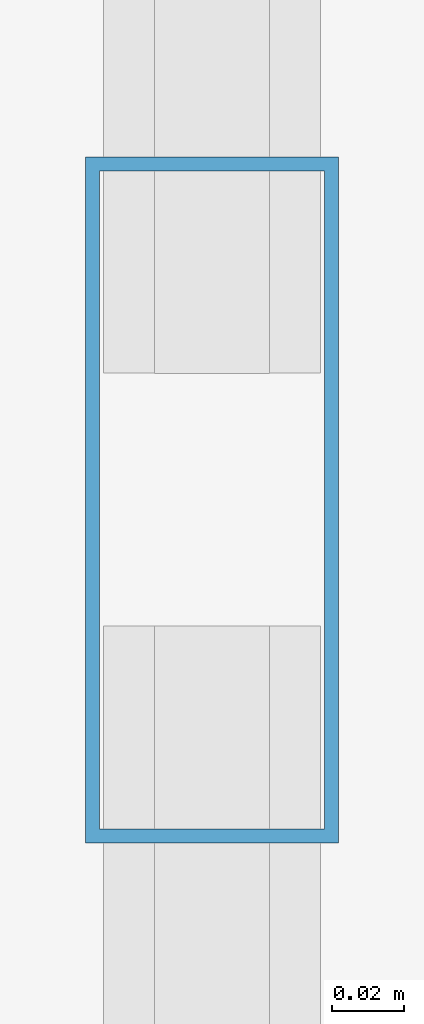
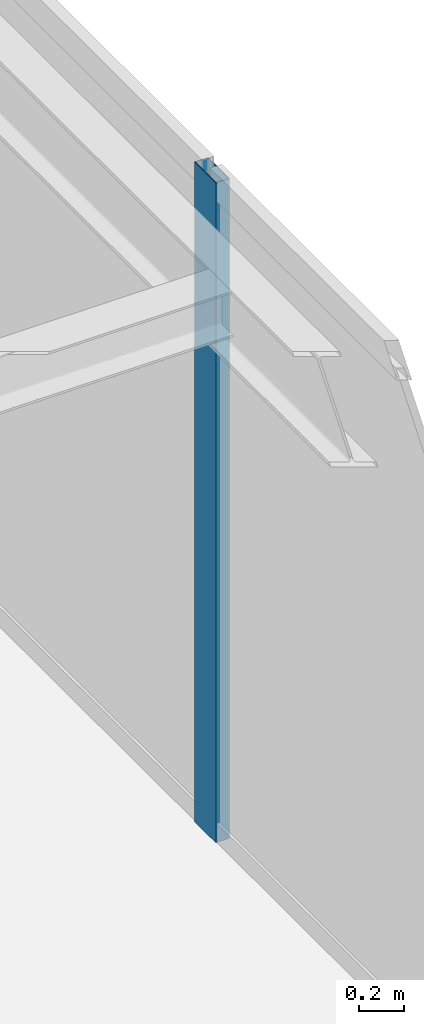
# One storey, part 20 of 37: 1 member, 1 element without a shape of its own.
"""IFC4 building model written with IfcOpenShell, lengths in metres."""

from ifc_helpers import new_model, si_unit, direction, frame, origin, origin_2d, place, context, subcontext, project, spatial, hollow_rectangle, extrude, source, transform, mapped, material, layer, layer_set, material_profile, profile_set, type_object, type_shapes, element, aggregate, save


model = new_model("IFC4")

# Units and contexts
model_context = context("Model", 3, precision=1e-05, world=origin(), true_north=direction((0.0, 1.0)))
body_context = subcontext(model_context, "Body", "Model", "MODEL_VIEW")
ifc_project = project(units=[si_unit("LENGTHUNIT", "METRE"), si_unit("AREAUNIT", "SQUARE_METRE"), si_unit("VOLUMEUNIT", "CUBIC_METRE"), si_unit("PLANEANGLEUNIT", "RADIAN"), si_unit("MASSUNIT", "GRAM", prefix="KILO")], contexts=[model_context])

# Site, building, storey
site_placement = place(None, origin())
site = spatial("IfcSite", under=ifc_project, at=site_placement, CompositionType="ELEMENT")
building_placement = place(site_placement, origin())
building = spatial("IfcBuilding", under=site, at=building_placement, Name="Varnel Quay Broadcast Tower", CompositionType="ELEMENT")
storey_placement = place(building_placement, frame((0.0, 0.0, 125.800048828125)))
storey = spatial("IfcBuildingStorey", under=building, at=storey_placement, Name="L30", CompositionType="ELEMENT", Elevation=125.800048828125)

# Curtain wall, member
ifc_material = material(Name="Anodised Bronze Aluminium 6063-T6", Category="aluminium")
ifc_layer = layer(ifc_material, 0.18994140625, Name="Anodised Bronze Aluminium 6063-T6")
ifc_layer_set = layer_set([ifc_layer], Name="Anodised Bronze Aluminium 6063-T6")
curtain_wall_type = type_object("IfcCurtainWallType", Name="CW_LowerTower", PredefinedType="NOTDEFINED", material=ifc_layer_set)
curtain_wall_placement = place(storey_placement, origin())
curtain_wall = element("IfcCurtainWall", 1, at=curtain_wall_placement, inside=storey, type_object=curtain_wall_type, Name="L30 East Unitised Curtain Wall", PredefinedType="NOTDEFINED")
ifc_material_profile = material_profile(ifc_material, hollow_rectangle(XDim=0.070068359375, YDim=0.18994140625, WallThickness=0.00390625, at=origin_2d()), Name="ALU70X190X4")
ifc_profile_set = profile_set([ifc_material_profile], Name="Anodised Bronze Aluminium 6063-T6")
member_type = type_object("IfcMemberType", Name="Mull_CWS-02", PredefinedType="MULLION", material=ifc_profile_set)
shared_shape = source(origin(), body_context, "Body", "SweptSolid", [
    extrude(hollow_rectangle(XDim=0.070068359375, YDim=0.18994140625, WallThickness=0.00390625, at=origin_2d()), origin(), (0.0, 0.0, 1.0), 3.550048828125),
])
type_shapes(member_type, [shared_shape])
member_placement = place(storey_placement, frame((63.35009765625, 31.39990234375, 0.0), z_axis=(0.0, 0.0, 1.0), x_axis=(-1.0, 0.0, 0.0)))
member = element("IfcMember", 2, at=member_placement, type_object=member_type, Name="CWS-02 mullion 3", PredefinedType="MULLION", context=body_context, shape_type="MappedRepresentation", body=[
    mapped(shared_shape, transform((0.0, 0.0, 0.0), x_axis=(1.0, 0.0, 0.0), y_axis=(0.0, 1.0, 0.0), z_axis=(0.0, 0.0, 1.0), scale=1.0)),
])
aggregate(curtain_wall, [member])

save(model, "model.ifc")
